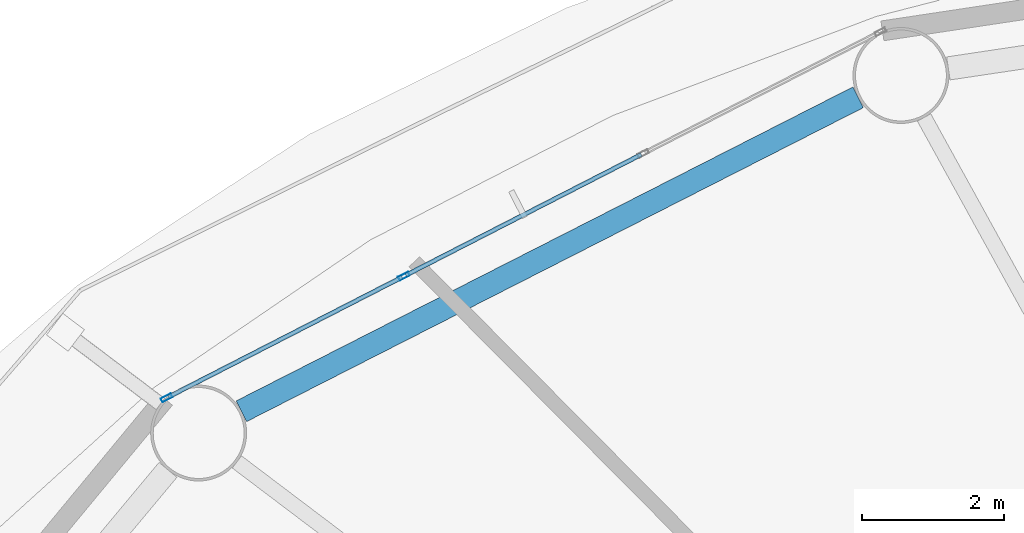
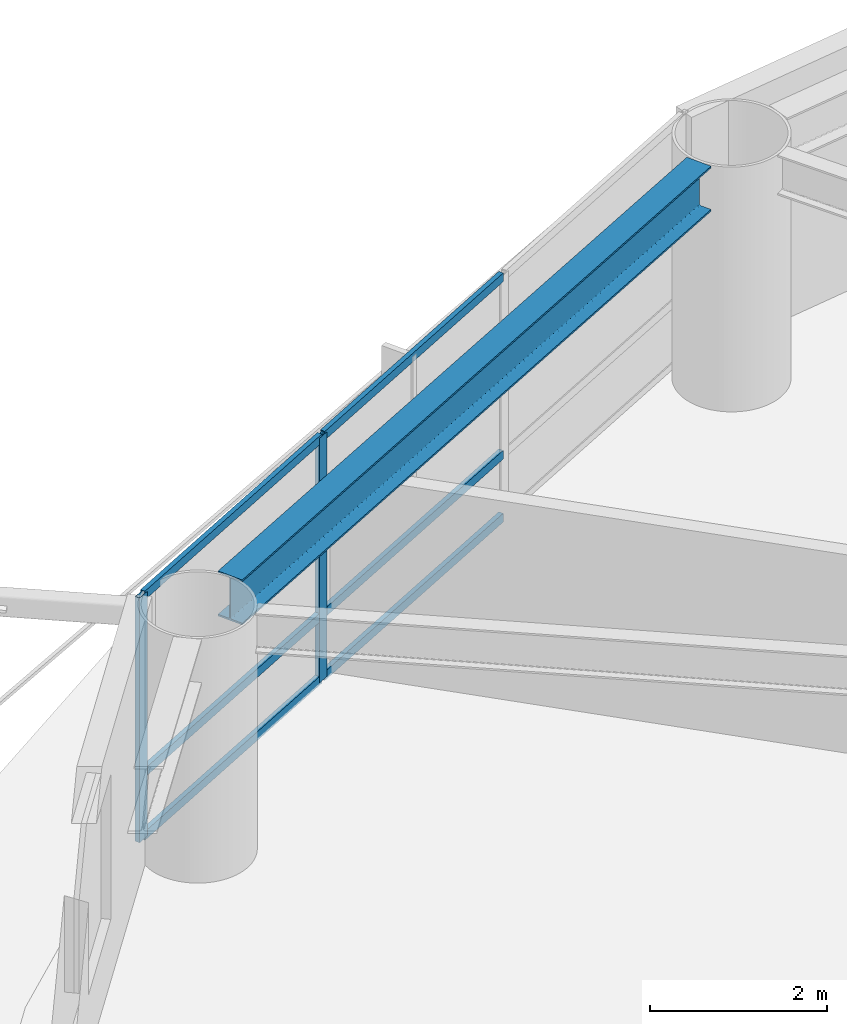
# One storey, part 10 of 26: 8 members, 1 beam, 1 element without a shape of its own.
"""IFC4 building model written with IfcOpenShell, lengths in metres."""

import ifcopenshell
import ifcopenshell.guid

model = None  # the IFC model being written
_history = None  # IfcOwnerHistory: only IFC2X3 demands one
_inside = {}  # id of a spatial element -> (the spatial element, [elements in it])
_under = {}  # id of a project, library or spatial element -> (it, [spatial elements below it])
_declared = {}  # id of a project -> (the project, [libraries it declares])
_typed = {}  # id of a type object -> (the type object, [elements of that type])
_made_of = {}  # id of a material, layer set ... -> (it, [elements and type objects made of it])


def new_model(schema):
    """Start an empty IFC model of exactly this schema.

    Asked for "IFC4X3", IfcOpenShell would pick the latest addendum, in which some entities
    have other attributes; the version numbers below select the first issue.
    IFC2X3 requires an IfcOwnerHistory on every rooted entity: one is made here for all.
    """
    global model, _history
    if schema == "IFC4X3":
        model = ifcopenshell.file(schema_version=(4, 3, 0, 0))
    else:
        model = ifcopenshell.file(schema=schema)
    _inside.clear()
    _under.clear()
    _declared.clear()
    _typed.clear()
    _made_of.clear()
    _history = None
    if model.schema == "IFC2X3":
        org = make("IfcOrganization", Name="unknown")
        user = make(
            "IfcPersonAndOrganization",
            ThePerson=make("IfcPerson", FamilyName="unknown"),
            TheOrganization=org,
        )
        app = make(
            "IfcApplication",
            ApplicationDeveloper=org,
            Version="unknown",
            ApplicationFullName="unknown",
            ApplicationIdentifier="unknown",
        )
        _history = make(
            "IfcOwnerHistory",
            OwningUser=user,
            OwningApplication=app,
            ChangeAction="ADDED",
            CreationDate=0,
        )
    return model


def make(cls, **values):
    """One entity of the class cls with the attributes given. An attribute that is None is left unset."""
    return model.create_entity(
        cls, **{name: value for name, value in values.items() if value is not None}
    )


def rooted(cls, **values):
    """An entity with a GlobalId (a new one), such as an element, a storey or a relation."""
    return make(cls, GlobalId=ifcopenshell.guid.new(), OwnerHistory=_history, **values)


def si_unit(unit_type, name, prefix=None):
    """IfcSIUnit, for example si_unit("LENGTHUNIT", "METRE", prefix="MILLI")."""
    return make("IfcSIUnit", UnitType=unit_type, Prefix=prefix, Name=name)


def assignment(units):
    """IfcUnitAssignment: the units of a project."""
    return None if units is None else make("IfcUnitAssignment", Units=units)


def point(xyz):
    """IfcCartesianPoint."""
    return None if xyz is None else make("IfcCartesianPoint", Coordinates=xyz)


def direction(xyz):
    """IfcDirection."""
    return None if xyz is None else make("IfcDirection", DirectionRatios=xyz)


def frame(location, z_axis=None, x_axis=None):
    """IfcAxis2Placement3D, a coordinate frame: its origin and axes. An axis left out is left unset."""
    return make(
        "IfcAxis2Placement3D",
        Location=point(location),
        Axis=direction(z_axis),
        RefDirection=direction(x_axis),
    )


def frame_2d(location, x_axis=None):
    """IfcAxis2Placement2D, a coordinate frame in the plane: its origin and x axis."""
    return make(
        "IfcAxis2Placement2D", Location=point(location), RefDirection=direction(x_axis)
    )


def origin():
    """The frame at (0, 0, 0) with its axes left unset."""
    return frame((0.0, 0.0, 0.0))


def origin_2d():
    """The frame at (0, 0) in the plane with its x axis left unset."""
    return frame_2d((0.0, 0.0))


def place(relative_to, where):
    """IfcLocalPlacement: puts the frame where relative to a parent placement (None: the world)."""
    return make(
        "IfcLocalPlacement", PlacementRelTo=relative_to, RelativePlacement=where
    )


def context(
    kind, dimensions, precision=None, world=None, true_north=None, identifier=None
):
    """IfcGeometricRepresentationContext, for example the 3D "Model" context."""
    return make(
        "IfcGeometricRepresentationContext",
        ContextIdentifier=identifier,
        ContextType=kind,
        CoordinateSpaceDimension=dimensions,
        Precision=precision,
        WorldCoordinateSystem=world,
        TrueNorth=true_north,
    )


def subcontext(parent, identifier, kind, view, scale=None):
    """IfcGeometricRepresentationSubContext, for example "Body" below "Model"."""
    return make(
        "IfcGeometricRepresentationSubContext",
        ContextIdentifier=identifier,
        ContextType=kind,
        ParentContext=parent,
        TargetScale=scale,
        TargetView=view,
    )


def project(units=None, contexts=None):
    """IfcProject with its units and contexts."""
    return rooted(
        "IfcProject",
        Name="project",
        RepresentationContexts=contexts,
        UnitsInContext=assignment(units),
    )


def spatial(cls, under=None, at=None, **own):
    """A site, building, storey or space (cls), placed at a placement, below another one or the project."""
    s = rooted(cls, ObjectPlacement=at, **own)
    if under is not None:
        _under.setdefault(under.id(), (under, []))[1].append(s)
    return s


def profile(cls, at=None, kind="AREA", **sizes):
    """A parametric profile (cls). Its sizes go by their IFC names, for example OverallWidth=200.0."""
    return make(cls, ProfileType=kind, Position=at, **sizes)


def hollow_rectangle(**sizes):
    """IfcRectangleHollowProfileDef."""
    return profile("IfcRectangleHollowProfileDef", **sizes)


def i_section(**sizes):
    """IfcIShapeProfileDef."""
    return profile("IfcIShapeProfileDef", **sizes)


def extrude(swept, where, along, depth):
    """IfcExtrudedAreaSolid: the profile swept, set in the frame where, extruded along a direction by depth."""
    return make(
        "IfcExtrudedAreaSolid",
        SweptArea=swept,
        Position=where,
        ExtrudedDirection=direction(along),
        Depth=depth,
    )


def shape(context_of_items, identifier, shape_type, items):
    """IfcShapeRepresentation: the items that make up one representation, for example the "Body"."""
    return make(
        "IfcShapeRepresentation",
        ContextOfItems=context_of_items,
        RepresentationIdentifier=identifier,
        RepresentationType=shape_type,
        Items=items,
    )


def material(Name=None, Category=None):
    """IfcMaterial."""
    return make("IfcMaterial", Name=Name, Category=Category)


def layer(
    of_material, thickness, ventilated=None, Name=None, Category=None, Priority=None
):
    """IfcMaterialLayer: one layer of a wall or slab, of a material (None: an air gap)."""
    return make(
        "IfcMaterialLayer",
        Material=of_material,
        LayerThickness=thickness,
        IsVentilated=ventilated,
        Name=Name,
        Category=Category,
        Priority=Priority,
    )


def layer_set(layers, Name=None):
    """IfcMaterialLayerSet."""
    return make("IfcMaterialLayerSet", MaterialLayers=layers, LayerSetName=Name)


def material_profile(
    of_material, cross_section, Name=None, Category=None, Priority=None
):
    """IfcMaterialProfile: a cross section and its material."""
    return make(
        "IfcMaterialProfile",
        Name=Name,
        Material=of_material,
        Profile=cross_section,
        Priority=Priority,
        Category=Category,
    )


def profile_set(profiles, Name=None, composite=None):
    """IfcMaterialProfileSet."""
    return make(
        "IfcMaterialProfileSet",
        Name=Name,
        MaterialProfiles=profiles,
        CompositeProfile=composite,
    )


def made_of(thing, what):
    """Note that an element or type object is made of a material, layer set ...; save() writes the relation."""
    if what is not None:
        _made_of.setdefault(what.id(), (what, []))[1].append(thing)
    return thing


def type_object(cls, material=None, **own):
    """A type object (cls), such as IfcWallType, which elements share."""
    return made_of(rooted(cls, **own), material)


def element(
    cls,
    number,
    at=None,
    inside=None,
    cuts=None,
    type_object=None,
    material=None,
    context=None,
    identifier="Body",
    shape_type=None,
    held_by="IfcProductDefinitionShape",
    body=None,
    shapes=None,
    **own,
):
    """One element of the class cls, such as IfcWall. Its Tag is "e" and its number.

    at: its placement. inside: the storey or other place that contains it. cuts: it is an
    opening in that element (IfcRelVoidsElement). A single representation is given by context,
    identifier, shape_type and body (its items); several are given by shapes. held_by: the class
    of the entity that holds the representations. save() writes the other relations.
    """
    e = rooted(cls, Tag="e%d" % number, ObjectPlacement=at, **own)
    if body is not None:
        shapes = [shape(context, identifier, shape_type, body)]
    if shapes is not None:
        e.Representation = make(held_by, Representations=shapes)
    if inside is not None:
        _inside.setdefault(inside.id(), (inside, []))[1].append(e)
    if cuts is not None:
        rooted(
            "IfcRelVoidsElement", RelatingBuildingElement=cuts, RelatedOpeningElement=e
        )
    if type_object is not None:
        _typed.setdefault(type_object.id(), (type_object, []))[1].append(e)
    return made_of(e, material)


def aggregate(whole, parts):
    """IfcRelAggregates: a whole, such as a stair, and the parts it consists of."""
    return rooted("IfcRelAggregates", RelatingObject=whole, RelatedObjects=parts)


def save(model, path):
    """Write the relations noted so far, then the file.

    IfcRelAggregates (storeys below a building ...), IfcRelContainedInSpatialStructure (elements
    in a storey), IfcRelDefinesByType, IfcRelAssociatesMaterial and IfcRelDeclares: one each for
    every whole, place, type object, material and project.
    """
    for whole, parts in _under.values():
        aggregate(whole, parts)
    for where, things in _inside.values():
        rooted(
            "IfcRelContainedInSpatialStructure",
            RelatedElements=things,
            RelatingStructure=where,
        )
    for kind, things in _typed.values():
        rooted("IfcRelDefinesByType", RelatedObjects=things, RelatingType=kind)
    for what, things in _made_of.values():
        rooted("IfcRelAssociatesMaterial", RelatedObjects=things, RelatingMaterial=what)
    for by, libraries in _declared.values():
        rooted("IfcRelDeclares", RelatingContext=by, RelatedDefinitions=libraries)
    model.write(path)


model = new_model("IFC4")

# Units and contexts
model_context = context("Model", 3, precision=1e-05, world=origin(), true_north=direction((0.0, 1.0)))
body_context = subcontext(model_context, "Body", "Model", "MODEL_VIEW")
ifc_project = project(units=[si_unit("LENGTHUNIT", "METRE"), si_unit("AREAUNIT", "SQUARE_METRE"), si_unit("VOLUMEUNIT", "CUBIC_METRE"), si_unit("PLANEANGLEUNIT", "RADIAN"), si_unit("MASSUNIT", "GRAM", prefix="KILO")], contexts=[model_context])

# Site, building, storey
site_placement = place(None, origin())
site = spatial("IfcSite", under=ifc_project, at=site_placement, CompositionType="ELEMENT")
building_placement = place(site_placement, origin())
building = spatial("IfcBuilding", under=site, at=building_placement, Name="Sarneth Arch Tower", CompositionType="ELEMENT")
storey_placement = place(building_placement, frame((0.0, 0.0, 53.39990234375)))
storey = spatial("IfcBuildingStorey", under=building, at=storey_placement, Name="L12", CompositionType="ELEMENT", Elevation=53.39990234375)

# Beam
ifc_material_1 = material(Name="Steel S355", Category="steel")
ifc_material_profile_1 = material_profile(ifc_material_1, i_section(OverallWidth=0.326904296875, OverallDepth=0.6220703125, WebThickness=0.015380859375, FlangeThickness=0.0244140625, FilletRadius=0.01904296875, at=origin_2d()), Name="W610x195")
ifc_profile_set_1 = profile_set([ifc_material_profile_1], Name="Steel S355")
beam_type = type_object("IfcBeamType", Name="BM-SPAN-610A", PredefinedType="SPANDREL", material=ifc_profile_set_1)
beam_placement = place(storey_placement, frame((35.58056640625, 63.127685546875, 3.069091796875), z_axis=(-0.8911738076, -0.453662037919, 0.0), x_axis=(0.453662037919, -0.8911738076, 0.0)))
element("IfcBeam", 1, at=beam_placement, inside=storey, type_object=beam_type, Name="L12 Perimeter spandrel beam 06", PredefinedType="SPANDREL", context=body_context, shape_type="SweptSolid", body=[
    extrude(i_section(OverallWidth=0.326904296875, OverallDepth=0.6220703125, WebThickness=0.015380859375, FlangeThickness=0.0244140625, FilletRadius=0.01904296875, at=origin_2d()), origin(), (0.0, 0.0, 1.0), 9.735107421875),
])

# Curtain wall, members
ifc_material_2 = material(Name="Anodised aluminium Type AA25 and solar-control low-e laminated IGU", Category="aluminium")
ifc_layer = layer(ifc_material_2, 0.159912109375)
ifc_layer_set = layer_set([ifc_layer], Name="Anodised aluminium Type AA25 and solar-control low-e laminated IGU")
curtain_wall_type = type_object("IfcCurtainWallType", Name="CW-HOTEL-LOW", PredefinedType="NOTDEFINED", material=ifc_layer_set)
curtain_wall_placement = place(storey_placement, origin())
curtain_wall = element("IfcCurtainWall", 2, at=curtain_wall_placement, inside=storey, type_object=curtain_wall_type, Name="L12 Unitised curtain wall facet 06", PredefinedType="NOTDEFINED")
ifc_material_3 = material(Name="Anodised Aluminium 6063-T6", Category="aluminium")
ifc_material_profile_2 = material_profile(ifc_material_3, hollow_rectangle(XDim=0.06005859375, YDim=0.159912109375, WallThickness=0.00390625, at=origin_2d()), Name="AL-MULL-160x60x4")
ifc_profile_set_2 = profile_set([ifc_material_profile_2], Name="Anodised Aluminium 6063-T6")
member_type_1 = type_object("IfcMemberType", Name="CW-MULLION", PredefinedType="MULLION", material=ifc_profile_set_2)
member_1_placement = place(storey_placement, frame((29.19140625, 60.611328125, 0.0), z_axis=(0.0, 0.0, 1.0), x_axis=(0.456245197127, -0.889854100456, 0.0)))
member_1 = element("IfcMember", 3, at=member_1_placement, type_object=member_type_1, Name="CW-SYS-3 mullion 3", PredefinedType="MULLION", context=body_context, shape_type="SweptSolid", body=[
    extrude(hollow_rectangle(XDim=0.06005859375, YDim=0.159912109375, WallThickness=0.00390625, at=origin_2d()), origin(), (0.0, 0.0, 1.0), 3.380126953125),
])
member_2_placement = place(storey_placement, frame((25.8525390625, 58.8994140625, 0.0), z_axis=(0.0, 0.0, 1.0), x_axis=(0.456245197127, -0.889854100456, 0.0)))
member_2 = element("IfcMember", 4, at=member_2_placement, type_object=member_type_1, Name="CW-SYS-3 mullion 4", PredefinedType="MULLION", context=body_context, shape_type="SweptSolid", body=[
    extrude(hollow_rectangle(XDim=0.06005859375, YDim=0.159912109375, WallThickness=0.00390625, at=origin_2d()), origin(), (0.0, 0.0, 1.0), 3.380126953125),
])
ifc_material_4 = material(Name="Anodised Aluminium 6063-T6", Category="aluminium")
ifc_material_profile_3 = material_profile(ifc_material_4, hollow_rectangle(XDim=0.06005859375, YDim=0.1201171875, WallThickness=0.00390625, at=origin_2d()), Name="AL-TRAN-120x60x4")
ifc_profile_set_3 = profile_set([ifc_material_profile_3], Name="Anodised Aluminium 6063-T6")
member_type_2 = type_object("IfcMemberType", Name="CW-TRANSOM", PredefinedType="USERDEFINED", material=ifc_profile_set_3)
member_3_placement = place(storey_placement, frame((32.530029296875, 62.322998046875, 0.030029296875), z_axis=(-0.889868677022, -0.456216766083, 0.0), x_axis=(0.456216766083, -0.889868677022, 0.0)))
member_3 = element("IfcMember", 5, at=member_3_placement, type_object=member_type_2, Name="CW-SYS-3 transom 2.1", ObjectType="TRANSOM", PredefinedType="USERDEFINED", context=body_context, shape_type="SweptSolid", body=[
    extrude(hollow_rectangle(XDim=0.06005859375, YDim=0.1201171875, WallThickness=0.00390625, at=origin_2d()), origin(), (0.0, 0.0, 1.0), 3.721923828125),
])
member_4_placement = place(storey_placement, frame((32.530029296875, 62.322998046875, 0.900146484375), z_axis=(-0.889868677022, -0.456216766083, 0.0), x_axis=(0.456216766083, -0.889868677022, 0.0)))
member_4 = element("IfcMember", 6, at=member_4_placement, type_object=member_type_2, Name="CW-SYS-3 transom 2.2", ObjectType="TRANSOM", PredefinedType="USERDEFINED", context=body_context, shape_type="SweptSolid", body=[
    extrude(hollow_rectangle(XDim=0.06005859375, YDim=0.1201171875, WallThickness=0.00390625, at=origin_2d()), origin(), (0.0, 0.0, 1.0), 3.721923828125),
])
member_5_placement = place(storey_placement, frame((32.530029296875, 62.322998046875, 3.35009765625), z_axis=(-0.889868677022, -0.456216766083, 0.0), x_axis=(0.456216766083, -0.889868677022, 0.0)))
member_5 = element("IfcMember", 7, at=member_5_placement, type_object=member_type_2, Name="CW-SYS-3 transom 2.3", ObjectType="TRANSOM", PredefinedType="USERDEFINED", context=body_context, shape_type="SweptSolid", body=[
    extrude(hollow_rectangle(XDim=0.06005859375, YDim=0.1201171875, WallThickness=0.00390625, at=origin_2d()), origin(), (0.0, 0.0, 1.0), 3.721923828125),
])
member_6_placement = place(storey_placement, frame((29.16455078125, 60.597412109375, 0.030029296875), z_axis=(-0.889871845224, -0.456210586327, 0.0), x_axis=(0.456210586327, -0.889871845224, 0.0)))
member_6 = element("IfcMember", 8, at=member_6_placement, type_object=member_type_2, Name="CW-SYS-3 transom 3.1", ObjectType="TRANSOM", PredefinedType="USERDEFINED", context=body_context, shape_type="SweptSolid", body=[
    extrude(hollow_rectangle(XDim=0.06005859375, YDim=0.1201171875, WallThickness=0.00390625, at=origin_2d()), origin(), (0.0, 0.0, 1.0), 3.69189453125),
])
member_7_placement = place(storey_placement, frame((29.16455078125, 60.597412109375, 0.900146484375), z_axis=(-0.889871845224, -0.456210586327, 0.0), x_axis=(0.456210586327, -0.889871845224, 0.0)))
member_7 = element("IfcMember", 9, at=member_7_placement, type_object=member_type_2, Name="CW-SYS-3 transom 3.2", ObjectType="TRANSOM", PredefinedType="USERDEFINED", context=body_context, shape_type="SweptSolid", body=[
    extrude(hollow_rectangle(XDim=0.06005859375, YDim=0.1201171875, WallThickness=0.00390625, at=origin_2d()), origin(), (0.0, 0.0, 1.0), 3.69189453125),
])
member_8_placement = place(storey_placement, frame((29.16455078125, 60.597412109375, 3.35009765625), z_axis=(-0.889871845224, -0.456210586327, 0.0), x_axis=(0.456210586327, -0.889871845224, 0.0)))
member_8 = element("IfcMember", 10, at=member_8_placement, type_object=member_type_2, Name="CW-SYS-3 transom 3.3", ObjectType="TRANSOM", PredefinedType="USERDEFINED", context=body_context, shape_type="SweptSolid", body=[
    extrude(hollow_rectangle(XDim=0.06005859375, YDim=0.1201171875, WallThickness=0.00390625, at=origin_2d()), origin(), (0.0, 0.0, 1.0), 3.69189453125),
])
aggregate(curtain_wall, [member_1, member_2, member_3, member_4, member_5, member_6, member_7, member_8])

save(model, "model.ifc")
